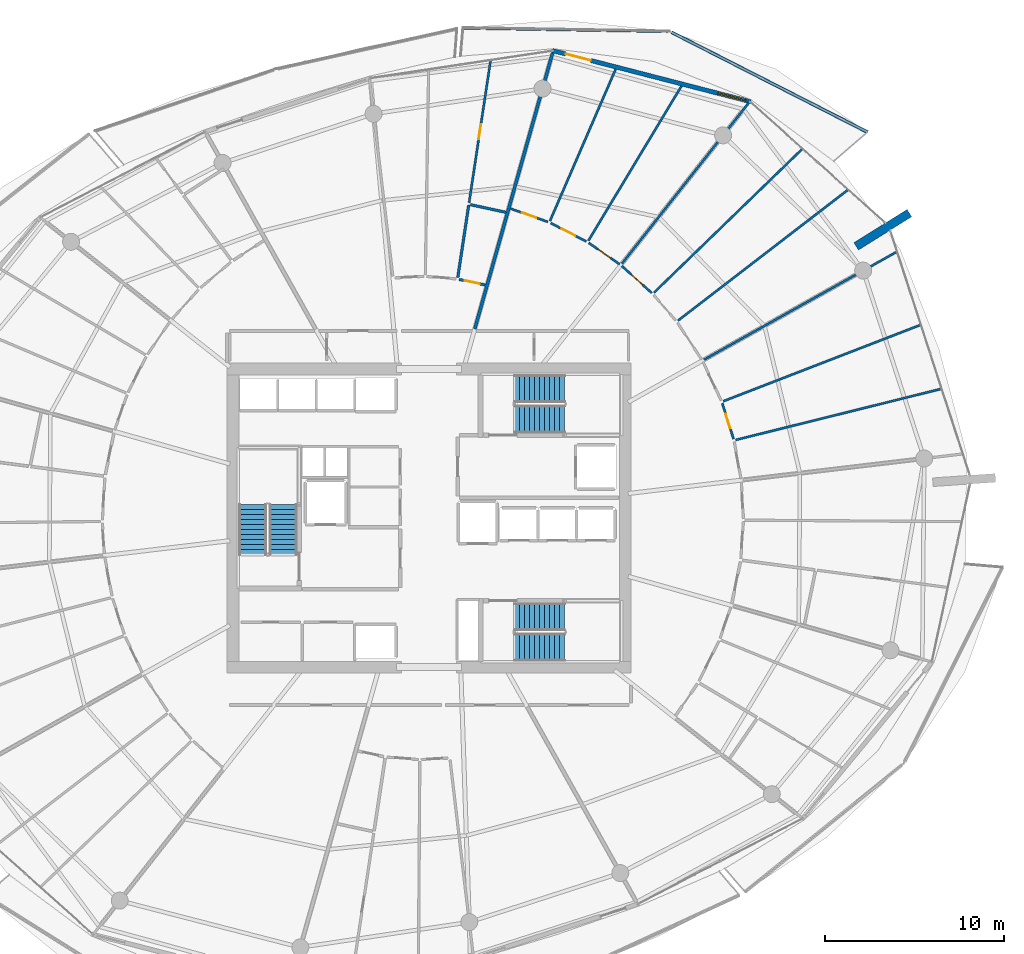
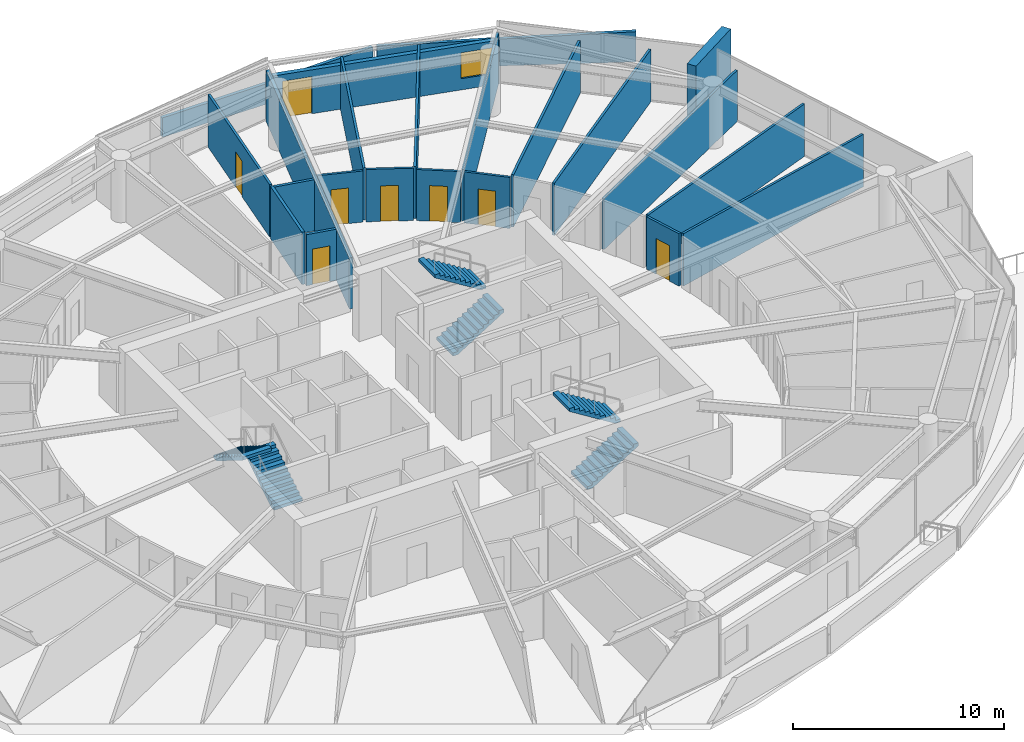
# One storey, part 23 of 30: 22 walls, 8 doors, 6 stair flights, 1 window, 9 openings, 3 elements without a shape of their own.
"""IFC4 building model written with IfcOpenShell, lengths in metres."""

from ifc_helpers import new_model, si_unit, direction, frame, frame_2d, origin, place, context, subcontext, project, spatial, polyline, rectangle, outline, extrude, material, layer, layer_set, type_object, element, fill, aggregate, save


model = new_model("IFC4")

# Units and contexts
model_context = context("Model", 3, precision=1e-05, world=origin(), true_north=direction((0.0, 1.0)))
body_context = subcontext(model_context, "Body", "Model", "MODEL_VIEW")
ifc_project = project(units=[si_unit("LENGTHUNIT", "METRE"), si_unit("AREAUNIT", "SQUARE_METRE"), si_unit("VOLUMEUNIT", "CUBIC_METRE"), si_unit("PLANEANGLEUNIT", "RADIAN"), si_unit("MASSUNIT", "GRAM", prefix="KILO")], contexts=[model_context])

# Site, building, storey
site_placement = place(None, origin())
site = spatial("IfcSite", under=ifc_project, at=site_placement, CompositionType="ELEMENT")
building_placement = place(site_placement, origin())
building = spatial("IfcBuilding", under=site, at=building_placement, Name="Kazma Halo Residences", CompositionType="ELEMENT")
storey_placement = place(building_placement, frame((0.0, 0.0, 236.699951171875)))
storey = spatial("IfcBuildingStorey", under=building, at=storey_placement, Name="L59", CompositionType="ELEMENT", Elevation=236.699951171875)

# Walls
ifc_material_1 = material(Name="White Concrete C50/60 Balustrade", Category="concrete")
ifc_layer_1 = layer(ifc_material_1, 0.179931640625)
ifc_layer_set_1 = layer_set([ifc_layer_1], Name="White Concrete C50/60 Balustrade")
wall_type_1 = type_object("IfcWallType", Name="WL-BAL-WAVE-180", PredefinedType="PARAPET", material=ifc_layer_set_1)
wall_1_placement = place(storey_placement, frame((72.91748046875, 63.546142578125, 0.0), z_axis=(0.0, 0.0, 1.0), x_axis=(-0.890886303028, 0.454226369861, 0.0)))
element("IfcWall", 1, at=wall_1_placement, inside=storey, type_object=wall_type_1, Name="L59 white wave balustrade wall NE.1", PredefinedType="PARAPET", context=body_context, shape_type="SweptSolid", body=[
    extrude(outline(polyline([(0.0, 0.0), (12.2998046875, 0.0), (12.2998046875, 1.34814453125), (6.14990234375, 1.56201171875), (0.0, 1.7470703125), (0.0, 0.0)])), frame((0.0, 0.08984375, 0.0), z_axis=(0.0, -1.0, 0.0), x_axis=(1.0, 0.0, 0.0)), (0.0, 0.0, 1.0), 0.179931640625),
])
wall_2_placement = place(storey_placement, frame((61.732666015625, 69.189453125, 0.0), z_axis=(0.0, 0.0, 1.0), x_axis=(-0.999862171908, 0.016602324761, 0.0)))
element("IfcWall", 2, at=wall_2_placement, inside=storey, type_object=wall_type_1, Name="L59 white wave balustrade wall NE.2", PredefinedType="PARAPET", context=body_context, shape_type="SweptSolid", body=[
    extrude(outline(polyline([(0.0, 0.0), (11.4111328125, 0.0), (11.4111328125, 1.1201171875), (5.70556640625, 1.18212890625), (0.0, 1.34814453125), (0.0, 0.0)])), frame((0.0, 0.08984375, 0.0), z_axis=(0.0, -1.0, 0.0), x_axis=(1.0, 0.0, 0.0)), (0.0, 0.0, 1.0), 0.179931640625),
])
ifc_material_2 = material(Name="Pale Concrete C60/75", Category="concrete")
ifc_layer_2 = layer(ifc_material_2, 0.47998046875)
ifc_layer_set_2 = layer_set([ifc_layer_2], Name="Pale Concrete C60/75")
wall_type_2 = type_object("IfcWallType", Name="WL-BLADE-480", PredefinedType="SOLIDWALL", material=ifc_layer_set_2)
wall_3_placement = place(storey_placement, frame((72.281494140625, 57.172607421875, 0.0), z_axis=(0.0, 0.0, 1.0), x_axis=(0.848033572426, 0.529942506352, 0.0)))
element("IfcWall", 3, at=wall_3_placement, inside=storey, type_object=wall_type_2, Name="L59 pale concrete structural blade fin wall BW-01", PredefinedType="SOLIDWALL", context=body_context, shape_type="SweptSolid", body=[
    extrude(rectangle(XDim=3.5, YDim=0.47998046875, at=frame_2d((1.75, 0.0))), origin(), (0.0, 0.0, 1.0), 3.85009765625),
])
ifc_material_3 = material(Name="Acoustic Twin-Stud Gypsum")
ifc_layer_3 = layer(ifc_material_3, 0.179931640625)
ifc_layer_set_3 = layer_set([ifc_layer_3], Name="Acoustic Twin-Stud Gypsum")
wall_type_3 = type_object("IfcWallType", Name="WL-DEM-180", PredefinedType="PARTITIONING", material=ifc_layer_set_3)
wall_4_placement = place(storey_placement, frame((50.97705078125, 52.555908203125, 0.0), z_axis=(0.0, 0.0, 1.0), x_axis=(0.271442063103, 0.962454781472, 0.0)))
element("IfcWall", 4, at=wall_4_placement, inside=storey, type_object=wall_type_3, Name="L59 apartment demising radial wall 02", PredefinedType="PARTITIONING", context=body_context, shape_type="SweptSolid", body=[
    extrude(rectangle(XDim=16.016845703125, YDim=0.179931640625, at=frame_2d((8.00830078125, 0.0))), origin(), (0.0, 0.0, 1.0), 2.95703125),
])

# Wall, openings, door, window
ifc_material_4 = material(Name="Insulated Pale-Metal Composite Wall")
ifc_layer_4 = layer(ifc_material_4, 0.239990234375)
ifc_layer_set_4 = layer_set([ifc_layer_4], Name="Insulated Pale-Metal Composite Wall")
wall_type_4 = type_object("IfcWallType", Name="WL-EXT-HOST-240", PredefinedType="SOLIDWALL", material=ifc_layer_set_4)
wall_5_placement = place(storey_placement, frame((66.386474609375, 65.2490234375, 0.0), z_axis=(0.0, 0.0, 1.0), x_axis=(-0.968343758421, 0.249620442927, 0.0)))
wall_5 = element("IfcWall", 5, at=wall_5_placement, inside=storey, type_object=wall_type_4, Name="L59 exterior terrace-access wall B02", PredefinedType="SOLIDWALL", context=body_context, shape_type="SweptSolid", body=[
    extrude(rectangle(XDim=11.438232421875, YDim=0.239990234375, at=frame_2d((5.71923828125, 0.0))), origin(), (0.0, 0.0, 1.0), 2.5400390625),
])
opening_1_placement = place(wall_5_placement, frame((9.21826171875, 0.0, 0.0)))
opening_1 = element("IfcOpeningElement", 6, at=opening_1_placement, cuts=wall_5, Name="Opening DTR-1600", PredefinedType="OPENING", context=body_context, shape_type="SweptSolid", body=[
    extrude(rectangle(XDim=1.449951171875, YDim=2.14990234375, at=frame_2d((0.72509765625, 1.074951171875))), frame((0.0, 0.1298828125, 0.0), z_axis=(0.0, -1.0, 0.0), x_axis=(1.0, 0.0, 0.0)), (0.0, 0.0, 1.0), 0.260009765625),
])
opening_2_placement = place(wall_5_placement, frame((0.280029296875, 0.0, 0.64990234375)))
opening_2 = element("IfcOpeningElement", 7, at=opening_2_placement, cuts=wall_5, Name="Opening W-1800", PredefinedType="OPENING", context=body_context, shape_type="SweptSolid", body=[
    extrude(rectangle(XDim=1.60009765625, YDim=1.5, at=frame_2d((0.800048828125, 0.75))), frame((0.0, 0.1298828125, 0.0), z_axis=(0.0, -1.0, 0.0), x_axis=(1.0, 0.0, 0.0)), (0.0, 0.0, 1.0), 0.260009765625),
])
ifc_material_5 = material(Name="Aluminium AW-6063 T6 Double-Glazed Terrace Door", Category="aluminium")
door_type_1 = type_object("IfcDoorType", Name="DR-EXT-TERR-1600", OperationType="NOTDEFINED", PredefinedType="DOOR", material=ifc_material_5)
door_1_placement = place(opening_1_placement, origin())
door_1 = element("IfcDoor", 8, at=door_1_placement, inside=storey, type_object=door_type_1, Name="L59 B02 balcony terrace door", OperationType="DOUBLE_DOOR_SLIDING", OverallHeight=2.14990234375, OverallWidth=1.449951171875, PredefinedType="DOOR", context=body_context, shape_type="SweptSolid", body=[
    extrude(rectangle(XDim=1.449951171875, YDim=2.14990234375, at=frame_2d((0.72509765625, 1.074951171875))), frame((0.0, 0.02490234375, 0.0), z_axis=(0.0, -1.0, 0.0), x_axis=(1.0, 0.0, 0.0)), (0.0, 0.0, 1.0), 0.050048828125),
])
fill(opening_1, door_1)
ifc_material_6 = material(Name="Clear Triple-Silver Low-E Glass in Aluminium AW-6063 T6 Frame", Category="aluminium")
window_type = type_object("IfcWindowType", Name="WIN-RES-1800", PartitioningType="DOUBLE_PANEL_VERTICAL", PredefinedType="WINDOW", material=ifc_material_6)
window_placement = place(opening_2_placement, origin())
window = element("IfcWindow", 9, at=window_placement, inside=storey, type_object=window_type, Name="L59 B02 apartment window", OverallHeight=1.5, OverallWidth=1.60009765625, PartitioningType="SINGLE_PANEL", PredefinedType="WINDOW", context=body_context, shape_type="SweptSolid", body=[
    extrude(rectangle(XDim=1.60009765625, YDim=1.5, at=frame_2d((0.800048828125, 0.75))), frame((0.0, 0.030029296875, 0.0), z_axis=(0.0, -1.0, 0.0), x_axis=(1.0, 0.0, 0.0)), (0.0, 0.0, 1.0), 0.06005859375),
])
fill(opening_2, window)

# Wall, opening, door
ifc_material_7 = material(Name="Gypsum Plasterboard Partition")
ifc_layer_5 = layer(ifc_material_7, 0.125)
ifc_layer_set_5 = layer_set([ifc_layer_5], Name="Gypsum Plasterboard Partition")
wall_type_5 = type_object("IfcWallType", Name="WL-PART-125", PredefinedType="PARTITIONING", material=ifc_layer_set_5)
wall_6_placement = place(storey_placement, frame((50.661376953125, 59.60693359375, 0.0), z_axis=(0.0, 0.0, 1.0), x_axis=(0.149441267911, 0.988770604056, 0.0)))
wall_6 = element("IfcWall", 10, at=wall_6_placement, inside=storey, type_object=wall_type_5, Name="L59 Apartment 1 Utility Laundry Room partition wall", PredefinedType="PARTITIONING", context=body_context, shape_type="SweptSolid", body=[
    extrude(rectangle(XDim=8.024658203125, YDim=0.125, at=frame_2d((4.01220703125, 0.0))), origin(), (0.0, 0.0, 1.0), 3.030029296875),
])
opening_3_placement = place(wall_6_placement, frame((3.58740234375, 0.0, 0.0)))
opening_3 = element("IfcOpeningElement", 11, at=opening_3_placement, cuts=wall_6, Name="Opening DB-900", PredefinedType="OPENING", context=body_context, shape_type="SweptSolid", body=[
    extrude(rectangle(XDim=0.85009765625, YDim=2.06005859375, at=frame_2d((0.425048828125, 1.030029296875))), frame((0.0, 0.072509765625, 0.0), z_axis=(0.0, -1.0, 0.0), x_axis=(1.0, 0.0, 0.0)), (0.0, 0.0, 1.0), 0.14501953125),
])
ifc_material_8 = material(Name="Moisture-Sealed Timber Leaf", Category="wood")
door_type_2 = type_object("IfcDoorType", Name="DR-BTH-900", OperationType="NOTDEFINED", PredefinedType="DOOR", material=ifc_material_8)
door_2_placement = place(opening_3_placement, origin())
door_2 = element("IfcDoor", 12, at=door_2_placement, inside=storey, type_object=door_type_2, Name="L59 Apartment 1 Utility Laundry Room door", OperationType="SINGLE_SWING_LEFT", OverallHeight=2.06005859375, OverallWidth=0.85009765625, PredefinedType="DOOR", context=body_context, shape_type="SweptSolid", body=[
    extrude(rectangle(XDim=0.85009765625, YDim=2.06005859375, at=frame_2d((0.425048828125, 1.030029296875))), frame((0.0, 0.02490234375, 0.0), z_axis=(0.0, -1.0, 0.0), x_axis=(1.0, 0.0, 0.0)), (0.0, 0.0, 1.0), 0.050048828125),
])
fill(opening_3, door_2)

# Walls
wall_7_placement = place(storey_placement, frame((65.543701171875, 46.35791015625, 0.0), z_axis=(0.0, 0.0, 1.0), x_axis=(0.970505215381, 0.241080125513, 0.0)))
element("IfcWall", 13, at=wall_7_placement, inside=storey, type_object=wall_type_5, Name="L59 Apartment 4 bay wall 1 15", PredefinedType="PARTITIONING", context=body_context, shape_type="SweptSolid", body=[
    extrude(rectangle(XDim=11.842529296875, YDim=0.125, at=frame_2d((5.92138671875, 0.0))), origin(), (0.0, 0.0, 1.0), 3.030029296875),
])
wall_8_placement = place(storey_placement, frame((64.859375, 48.5224609375, 0.0), z_axis=(0.0, 0.0, 1.0), x_axis=(0.932638555512, 0.360812035238, 0.0)))
element("IfcWall", 14, at=wall_8_placement, inside=storey, type_object=wall_type_5, Name="L59 Apartment 4 bay wall 2 15", PredefinedType="PARTITIONING", context=body_context, shape_type="SweptSolid", body=[
    extrude(rectangle(XDim=11.812744140625, YDim=0.125, at=frame_2d((5.90625, 0.0))), origin(), (0.0, 0.0, 1.0), 3.030029296875),
])

# Wall, opening, door
wall_9_placement = place(storey_placement, frame((65.432373046875, 46.41259765625, 0.0), z_axis=(0.0, 0.0, 1.0), x_axis=(-0.301532202781, 0.953455993052, 0.0)))
wall_9 = element("IfcWall", 15, at=wall_9_placement, inside=storey, type_object=wall_type_5, Name="L59 Apartment 4 South Dressing Wardrobe hall wall", PredefinedType="PARTITIONING", context=body_context, shape_type="SweptSolid", body=[
    extrude(rectangle(XDim=2.0986328125, YDim=0.125, at=frame_2d((1.04931640625, 0.0))), origin(), (0.0, 0.0, 1.0), 3.030029296875),
])
opening_4_placement = place(wall_9_placement, frame((0.62451171875, 0.0, 0.0)))
opening_4 = element("IfcOpeningElement", 16, at=opening_4_placement, cuts=wall_9, Name="Opening DB-900", PredefinedType="OPENING", context=body_context, shape_type="SweptSolid", body=[
    extrude(rectangle(XDim=0.85009765625, YDim=2.06005859375, at=frame_2d((0.425048828125, 1.030029296875))), frame((0.0, 0.072509765625, 0.0), z_axis=(0.0, -1.0, 0.0), x_axis=(1.0, 0.0, 0.0)), (0.0, 0.0, 1.0), 0.14501953125),
])
door_3_placement = place(opening_4_placement, origin())
door_3 = element("IfcDoor", 17, at=door_3_placement, inside=storey, type_object=door_type_2, Name="L59 Apartment 4 South Dressing Wardrobe door", OperationType="SINGLE_SWING_LEFT", OverallHeight=2.06005859375, OverallWidth=0.85009765625, PredefinedType="DOOR", context=body_context, shape_type="SweptSolid", body=[
    extrude(rectangle(XDim=0.85009765625, YDim=2.06005859375, at=frame_2d((0.425048828125, 1.030029296875))), frame((0.0, 0.02490234375, 0.0), z_axis=(0.0, -1.0, 0.0), x_axis=(1.0, 0.0, 0.0)), (0.0, 0.0, 1.0), 0.050048828125),
])
fill(opening_4, door_3)

# Walls
wall_10_placement = place(storey_placement, frame((63.78076171875, 50.837646484375, 0.0), z_axis=(0.0, 0.0, 1.0), x_axis=(0.872494210357, 0.48862444975, 0.0)))
element("IfcWall", 18, at=wall_10_placement, inside=storey, type_object=wall_type_5, Name="L59 Apartment 4 radial partition 0", PredefinedType="PARTITIONING", context=body_context, shape_type="SweptSolid", body=[
    extrude(rectangle(XDim=12.3427734375, YDim=0.125, at=frame_2d((6.17138671875, 0.0))), origin(), (0.0, 0.0, 1.0), 2.95703125),
])
wall_11_placement = place(storey_placement, frame((62.326904296875, 53.0234375, 0.0), z_axis=(0.0, 0.0, 1.0), x_axis=(0.792569370424, 0.609781758554, 0.0)))
element("IfcWall", 19, at=wall_11_placement, inside=storey, type_object=wall_type_5, Name="L59 Apartment 4 bay wall 1 0", PredefinedType="PARTITIONING", context=body_context, shape_type="SweptSolid", body=[
    extrude(rectangle(XDim=11.96484375, YDim=0.125, at=frame_2d((5.982421875, 0.0))), origin(), (0.0, 0.0, 1.0), 3.030029296875),
])
wall_12_placement = place(storey_placement, frame((60.9814453125, 54.580078125, 0.0), z_axis=(0.0, 0.0, 1.0), x_axis=(0.718135065817, 0.695903748549, 0.0)))
element("IfcWall", 20, at=wall_12_placement, inside=storey, type_object=wall_type_5, Name="L59 Apartment 4 bay wall 2 0", PredefinedType="PARTITIONING", context=body_context, shape_type="SweptSolid", body=[
    extrude(rectangle(XDim=11.531005859375, YDim=0.125, at=frame_2d((5.765625, 0.0))), origin(), (0.0, 0.0, 1.0), 3.030029296875),
])

# Wall, opening, door
wall_13_placement = place(storey_placement, frame((60.857421875, 54.571044921875, 0.0), z_axis=(0.0, 0.0, 1.0), x_axis=(-0.742214573282, 0.670162314076, 0.0)))
wall_13 = element("IfcWall", 21, at=wall_13_placement, inside=storey, type_object=wall_type_5, Name="L59 Apartment 4 Garden Bedroom hall wall", PredefinedType="PARTITIONING", context=body_context, shape_type="SweptSolid", body=[
    extrude(rectangle(XDim=2.23974609375, YDim=0.125, at=frame_2d((1.119873046875, 0.0))), origin(), (0.0, 0.0, 1.0), 2.95703125),
])
opening_5_placement = place(wall_13_placement, frame((0.69482421875, 0.0, 0.0)))
opening_5 = element("IfcOpeningElement", 22, at=opening_5_placement, cuts=wall_13, Name="Opening DB-900", PredefinedType="OPENING", context=body_context, shape_type="SweptSolid", body=[
    extrude(rectangle(XDim=0.85009765625, YDim=2.06005859375, at=frame_2d((0.425048828125, 1.030029296875))), frame((0.0, 0.072509765625, 0.0), z_axis=(0.0, -1.0, 0.0), x_axis=(1.0, 0.0, 0.0)), (0.0, 0.0, 1.0), 0.14501953125),
])
door_4_placement = place(opening_5_placement, origin())
door_4 = element("IfcDoor", 23, at=door_4_placement, inside=storey, type_object=door_type_2, Name="L59 Apartment 4 Garden Bedroom door", OperationType="SINGLE_SWING_LEFT", OverallHeight=2.06005859375, OverallWidth=0.85009765625, PredefinedType="DOOR", context=body_context, shape_type="SweptSolid", body=[
    extrude(rectangle(XDim=0.85009765625, YDim=2.06005859375, at=frame_2d((0.425048828125, 1.030029296875))), frame((0.0, 0.02490234375, 0.0), z_axis=(0.0, -1.0, 0.0), x_axis=(1.0, 0.0, 0.0)), (0.0, 0.0, 1.0), 0.050048828125),
])
fill(opening_5, door_4)

# Walls
wall_14_placement = place(storey_placement, frame((59.197509765625, 56.2041015625, 0.0), z_axis=(0.0, 0.0, 1.0), x_axis=(0.619101452742, 0.785311015593, 0.0)))
element("IfcWall", 24, at=wall_14_placement, inside=storey, type_object=wall_type_5, Name="L59 Apartment 4 radial partition 1", PredefinedType="PARTITIONING", context=body_context, shape_type="SweptSolid", body=[
    extrude(rectangle(XDim=11.508544921875, YDim=0.125, at=frame_2d((5.75439453125, 0.0))), origin(), (0.0, 0.0, 1.0), 2.95703125),
])
wall_15_placement = place(storey_placement, frame((57.32373046875, 57.48681640625, 0.0), z_axis=(0.0, 0.0, 1.0), x_axis=(0.515791839044, 0.856713942209, 0.0)))
element("IfcWall", 25, at=wall_15_placement, inside=storey, type_object=wall_type_5, Name="L59 Apartment 4 bay wall 1 1", PredefinedType="PARTITIONING", context=body_context, shape_type="SweptSolid", body=[
    extrude(rectangle(XDim=10.07861328125, YDim=0.125, at=frame_2d((5.039306640625, 0.0))), origin(), (0.0, 0.0, 1.0), 3.030029296875),
])
wall_16_placement = place(storey_placement, frame((55.17919921875, 58.59033203125, 0.0), z_axis=(0.0, 0.0, 1.0), x_axis=(0.397155540024, 0.91775131546, 0.0)))
element("IfcWall", 26, at=wall_16_placement, inside=storey, type_object=wall_type_5, Name="L59 Apartment 4 bay wall 2 1", PredefinedType="PARTITIONING", context=body_context, shape_type="SweptSolid", body=[
    extrude(rectangle(XDim=9.234375, YDim=0.125, at=frame_2d((4.6171875, 0.0))), origin(), (0.0, 0.0, 1.0), 3.030029296875),
])

# Wall, opening, door
wall_17_placement = place(storey_placement, frame((59.06982421875, 56.1708984375, 0.0), z_axis=(0.0, 0.0, 1.0), x_axis=(-0.822627459645, 0.568580744167, 0.0)))
wall_17 = element("IfcWall", 27, at=wall_17_placement, inside=storey, type_object=wall_type_5, Name="L59 Apartment 4 Sky Bedroom hall wall", PredefinedType="PARTITIONING", context=body_context, shape_type="SweptSolid", body=[
    extrude(rectangle(XDim=2.098876953125, YDim=0.125, at=frame_2d((1.04931640625, 0.0))), origin(), (0.0, 0.0, 1.0), 2.95703125),
])
opening_6_placement = place(wall_17_placement, frame((0.62451171875, 0.0, 0.0)))
opening_6 = element("IfcOpeningElement", 28, at=opening_6_placement, cuts=wall_17, Name="Opening DB-900", PredefinedType="OPENING", context=body_context, shape_type="SweptSolid", body=[
    extrude(rectangle(XDim=0.85009765625, YDim=2.06005859375, at=frame_2d((0.425048828125, 1.030029296875))), frame((0.0, 0.072509765625, 0.0), z_axis=(0.0, -1.0, 0.0), x_axis=(1.0, 0.0, 0.0)), (0.0, 0.0, 1.0), 0.14501953125),
])
door_5_placement = place(opening_6_placement, origin())
door_5 = element("IfcDoor", 29, at=door_5_placement, inside=storey, type_object=door_type_2, Name="L59 Apartment 4 Sky Bedroom door", OperationType="SINGLE_SWING_RIGHT", OverallHeight=2.06005859375, OverallWidth=0.85009765625, PredefinedType="DOOR", context=body_context, shape_type="SweptSolid", body=[
    extrude(rectangle(XDim=0.85009765625, YDim=2.06005859375, at=frame_2d((0.425048828125, 1.030029296875))), frame((0.0, 0.02490234375, 0.0), z_axis=(0.0, -1.0, 0.0), x_axis=(1.0, 0.0, 0.0)), (0.0, 0.0, 1.0), 0.050048828125),
])
fill(opening_6, door_5)

wall_18_placement = place(storey_placement, frame((57.206298828125, 57.4462890625, 0.0), z_axis=(0.0, 0.0, 1.0), x_axis=(-0.88917885275, 0.45755979699, 0.0)))
wall_18 = element("IfcWall", 30, at=wall_18_placement, inside=storey, type_object=wall_type_5, Name="L59 Apartment 4 Gulf Study hall wall", PredefinedType="PARTITIONING", context=body_context, shape_type="SweptSolid", body=[
    extrude(rectangle(XDim=2.239990234375, YDim=0.125, at=frame_2d((1.1201171875, 0.0))), origin(), (0.0, 0.0, 1.0), 3.030029296875),
])
opening_7_placement = place(wall_18_placement, frame((0.69482421875, 0.0, 0.0)))
opening_7 = element("IfcOpeningElement", 31, at=opening_7_placement, cuts=wall_18, Name="Opening DB-900", PredefinedType="OPENING", context=body_context, shape_type="SweptSolid", body=[
    extrude(rectangle(XDim=0.85009765625, YDim=2.06005859375, at=frame_2d((0.425048828125, 1.030029296875))), frame((0.0, 0.072509765625, 0.0), z_axis=(0.0, -1.0, 0.0), x_axis=(1.0, 0.0, 0.0)), (0.0, 0.0, 1.0), 0.14501953125),
])
door_6_placement = place(opening_7_placement, origin())
door_6 = element("IfcDoor", 32, at=door_6_placement, inside=storey, type_object=door_type_2, Name="L59 Apartment 4 Gulf Study door", OperationType="SINGLE_SWING_LEFT", OverallHeight=2.06005859375, OverallWidth=0.85009765625, PredefinedType="DOOR", context=body_context, shape_type="SweptSolid", body=[
    extrude(rectangle(XDim=0.85009765625, YDim=2.06005859375, at=frame_2d((0.425048828125, 1.030029296875))), frame((0.0, 0.02490234375, 0.0), z_axis=(0.0, -1.0, 0.0), x_axis=(1.0, 0.0, 0.0)), (0.0, 0.0, 1.0), 0.050048828125),
])
fill(opening_7, door_6)

wall_19_placement = place(storey_placement, frame((55.068115234375, 58.534423828125, 0.0), z_axis=(0.0, 0.0, 1.0), x_axis=(-0.942194809645, 0.335065576683, 0.0)))
wall_19 = element("IfcWall", 33, at=wall_19_placement, inside=storey, type_object=wall_type_5, Name="L59 Apartment 4 Primary Bedroom hall wall", PredefinedType="PARTITIONING", context=body_context, shape_type="SweptSolid", body=[
    extrude(rectangle(XDim=2.23974609375, YDim=0.125, at=frame_2d((1.119873046875, 0.0))), origin(), (0.0, 0.0, 1.0), 2.95703125),
])
opening_8_placement = place(wall_19_placement, frame((0.69482421875, 0.0, 0.0)))
opening_8 = element("IfcOpeningElement", 34, at=opening_8_placement, cuts=wall_19, Name="Opening DB-900", PredefinedType="OPENING", context=body_context, shape_type="SweptSolid", body=[
    extrude(rectangle(XDim=0.85009765625, YDim=2.06005859375, at=frame_2d((0.425048828125, 1.030029296875))), frame((0.0, 0.072509765625, 0.0), z_axis=(0.0, -1.0, 0.0), x_axis=(1.0, 0.0, 0.0)), (0.0, 0.0, 1.0), 0.14501953125),
])
door_7_placement = place(opening_8_placement, origin())
door_7 = element("IfcDoor", 35, at=door_7_placement, inside=storey, type_object=door_type_2, Name="L59 Apartment 4 Primary Bedroom door", OperationType="SINGLE_SWING_RIGHT", OverallHeight=2.06005859375, OverallWidth=0.85009765625, PredefinedType="DOOR", context=body_context, shape_type="SweptSolid", body=[
    extrude(rectangle(XDim=0.85009765625, YDim=2.06005859375, at=frame_2d((0.425048828125, 1.030029296875))), frame((0.0, 0.02490234375, 0.0), z_axis=(0.0, -1.0, 0.0), x_axis=(1.0, 0.0, 0.0)), (0.0, 0.0, 1.0), 0.050048828125),
])
fill(opening_8, door_7)

ifc_material_9 = material(Name="Moisture-Resistant Gypsum")
ifc_layer_6 = layer(ifc_material_9, 0.14990234375)
ifc_layer_set_6 = layer_set([ifc_layer_6], Name="Moisture-Resistant Gypsum")
wall_type_6 = type_object("IfcWallType", Name="WL-WET-150", PredefinedType="PARTITIONING", material=ifc_layer_set_6)
wall_20_placement = place(storey_placement, frame((51.56591796875, 55.011474609375, 0.0), z_axis=(0.0, 0.0, 1.0), x_axis=(-0.977543483976, 0.21073380587, 0.0)))
wall_20 = element("IfcWall", 36, at=wall_20_placement, inside=storey, type_object=wall_type_6, Name="L59 Apartment 1 Guest Bathroom hall wall", PredefinedType="PARTITIONING", context=body_context, shape_type="SweptSolid", body=[
    extrude(rectangle(XDim=1.494384765625, YDim=0.14990234375, at=frame_2d((0.7470703125, 0.0))), origin(), (0.0, 0.0, 1.0), 2.95703125),
])
opening_9_placement = place(wall_20_placement, frame((0.322021484375, 0.0, 0.0)))
opening_9 = element("IfcOpeningElement", 37, at=opening_9_placement, cuts=wall_20, Name="Opening DB-900", PredefinedType="OPENING", context=body_context, shape_type="SweptSolid", body=[
    extrude(rectangle(XDim=0.85009765625, YDim=2.06005859375, at=frame_2d((0.425048828125, 1.030029296875))), frame((0.0, 0.0849609375, 0.0), z_axis=(0.0, -1.0, 0.0), x_axis=(1.0, 0.0, 0.0)), (0.0, 0.0, 1.0), 0.169921875),
])
door_8_placement = place(opening_9_placement, origin())
door_8 = element("IfcDoor", 38, at=door_8_placement, inside=storey, type_object=door_type_2, Name="L59 Apartment 1 Guest Bathroom door", OperationType="SINGLE_SWING_RIGHT", OverallHeight=2.06005859375, OverallWidth=0.85009765625, PredefinedType="DOOR", context=body_context, shape_type="SweptSolid", body=[
    extrude(rectangle(XDim=0.85009765625, YDim=2.06005859375, at=frame_2d((0.425048828125, 1.030029296875))), frame((0.0, 0.02490234375, 0.0), z_axis=(0.0, -1.0, 0.0), x_axis=(1.0, 0.0, 0.0)), (0.0, 0.0, 1.0), 0.050048828125),
])
fill(opening_9, door_8)

# Walls
wall_21_placement = place(storey_placement, frame((52.711181640625, 59.072998046875, 0.0), z_axis=(0.0, 0.0, 1.0), x_axis=(-0.977523973404, 0.210824290395, 0.0)))
element("IfcWall", 39, at=wall_21_placement, inside=storey, type_object=wall_type_6, Name="L59 Apartment 1 Guest Bathroom back wall", PredefinedType="PARTITIONING", context=body_context, shape_type="SweptSolid", body=[
    extrude(rectangle(XDim=2.020751953125, YDim=0.14990234375, at=frame_2d((1.01025390625, 0.0))), origin(), (0.0, 0.0, 1.0), 2.95703125),
])
wall_22_placement = place(storey_placement, frame((50.030517578125, 55.434326171875, 0.0), z_axis=(0.0, 0.0, 1.0), x_axis=(0.149464107942, 0.988767151779, 0.0)))
element("IfcWall", 40, at=wall_22_placement, inside=storey, type_object=wall_type_6, Name="L59 Apartment 1 Guest Bathroom side wall", PredefinedType="PARTITIONING", context=body_context, shape_type="SweptSolid", body=[
    extrude(rectangle(XDim=4.090087890625, YDim=0.14990234375, at=frame_2d((2.044921875, 0.0))), origin(), (0.0, 0.0, 1.0), 3.030029296875),
])

# Stair, stair flights
ifc_material_10 = material(Name="Concrete C50/60", Category="concrete")
stair_type = type_object("IfcStairType", Name="STR-RES2", PredefinedType="HALF_TURN_STAIR", material=ifc_material_10)
stair_1_placement = place(storey_placement, origin())
stair_1 = element("IfcStair", 41, at=stair_1_placement, inside=storey, type_object=stair_type, Name="L59 Core exit stair ST-01", PredefinedType="HALF_TURN_STAIR")
stair_flight_type = type_object("IfcStairFlightType", Name="STR-RES2-FLT", PredefinedType="STRAIGHT", material=ifc_material_10)
stair_flight_1_placement = place(storey_placement, frame((40.27490234375, 39.949951171875, 0.0), z_axis=(0.0, 0.0, 1.0), x_axis=(0.0, 1.0, 0.0)))
stair_flight_1 = element("IfcStairFlight", 42, at=stair_flight_1_placement, type_object=stair_flight_type, Name="ST-01 flight 1", NumberOfRisers=11, NumberOfTreads=10, PredefinedType="STRAIGHT", RiserHeight=0.175, TreadLength=0.28, context=body_context, shape_type="SweptSolid", body=[
    extrude(outline(polyline([(0.0, 0.0), (0.0, 0.175048828125), (0.280029296875, 0.175048828125), (0.280029296875, 0.35009765625), (0.56005859375, 0.35009765625), (0.56005859375, 0.52490234375), (0.840087890625, 0.52490234375), (0.840087890625, 0.699951171875), (1.1201171875, 0.699951171875), (1.1201171875, 0.875), (1.39990234375, 0.875), (1.39990234375, 1.050048828125), (1.679931640625, 1.050048828125), (1.679931640625, 1.22509765625), (1.9599609375, 1.22509765625), (1.9599609375, 1.39990234375), (2.239990234375, 1.39990234375), (2.239990234375, 1.574951171875), (2.52001953125, 1.574951171875), (2.52001953125, 1.75), (2.800048828125, 1.75), (2.800048828125, 1.925048828125), (2.800048828125, 1.5732421875), (0.28271484375, 0.0), (0.0, 0.0)])), frame((0.0, 0.77490234375, 0.0), z_axis=(0.0, -1.0, 0.0), x_axis=(1.0, 0.0, 0.0)), (0.0, 0.0, 1.0), 1.550048828125),
])
stair_flight_2_placement = place(storey_placement, frame((38.574951171875, 42.75, 1.925048828125), z_axis=(0.0, 0.0, 1.0), x_axis=(0.0, -1.0, 0.0)))
stair_flight_2 = element("IfcStairFlight", 43, at=stair_flight_2_placement, type_object=stair_flight_type, Name="ST-01 flight 2", NumberOfRisers=11, NumberOfTreads=10, PredefinedType="STRAIGHT", RiserHeight=0.175, TreadLength=0.28, context=body_context, shape_type="SweptSolid", body=[
    extrude(outline(polyline([(0.0, 0.0), (0.0, 0.175048828125), (0.280029296875, 0.175048828125), (0.280029296875, 0.35009765625), (0.56005859375, 0.35009765625), (0.56005859375, 0.52490234375), (0.840087890625, 0.52490234375), (0.840087890625, 0.699951171875), (1.1201171875, 0.699951171875), (1.1201171875, 0.875), (1.39990234375, 0.875), (1.39990234375, 1.050048828125), (1.679931640625, 1.050048828125), (1.679931640625, 1.22509765625), (1.9599609375, 1.22509765625), (1.9599609375, 1.39990234375), (2.239990234375, 1.39990234375), (2.239990234375, 1.574951171875), (2.52001953125, 1.574951171875), (2.52001953125, 1.75), (2.800048828125, 1.75), (2.800048828125, 1.925048828125), (2.800048828125, 1.5732421875), (0.28271484375, 0.0), (0.0, 0.0)])), frame((0.0, 0.77490234375, 0.0), z_axis=(0.0, -1.0, 0.0), x_axis=(1.0, 0.0, 0.0)), (0.0, 0.0, 1.0), 1.550048828125),
])
aggregate(stair_1, [stair_flight_1, stair_flight_2])

stair_2_placement = place(storey_placement, origin())
stair_2 = element("IfcStair", 44, at=stair_2_placement, inside=storey, type_object=stair_type, Name="L59 Core exit stair ST-02", PredefinedType="HALF_TURN_STAIR")
stair_flight_3_placement = place(storey_placement, frame((53.199951171875, 47.52490234375, 0.0), z_axis=(0.0, 0.0, 1.0), x_axis=(1.0, 0.0, 0.0)))
stair_flight_3 = element("IfcStairFlight", 45, at=stair_flight_3_placement, type_object=stair_flight_type, Name="ST-02 flight 1", NumberOfRisers=11, NumberOfTreads=10, PredefinedType="STRAIGHT", RiserHeight=0.175, TreadLength=0.28, context=body_context, shape_type="SweptSolid", body=[
    extrude(outline(polyline([(0.0, 0.0), (0.0, 0.175048828125), (0.280029296875, 0.175048828125), (0.280029296875, 0.35009765625), (0.56005859375, 0.35009765625), (0.56005859375, 0.52490234375), (0.840087890625, 0.52490234375), (0.840087890625, 0.699951171875), (1.1201171875, 0.699951171875), (1.1201171875, 0.875), (1.39990234375, 0.875), (1.39990234375, 1.050048828125), (1.679931640625, 1.050048828125), (1.679931640625, 1.22509765625), (1.9599609375, 1.22509765625), (1.9599609375, 1.39990234375), (2.239990234375, 1.39990234375), (2.239990234375, 1.574951171875), (2.52001953125, 1.574951171875), (2.52001953125, 1.75), (2.800048828125, 1.75), (2.800048828125, 1.925048828125), (2.800048828125, 1.5732421875), (0.28271484375, 0.0), (0.0, 0.0)])), frame((0.0, 0.77490234375, 0.0), z_axis=(0.0, -1.0, 0.0), x_axis=(1.0, 0.0, 0.0)), (0.0, 0.0, 1.0), 1.550048828125),
])
stair_flight_4_placement = place(storey_placement, frame((56.0, 49.22509765625, 1.925048828125), z_axis=(0.0, 0.0, 1.0), x_axis=(-1.0, 0.0, 0.0)))
stair_flight_4 = element("IfcStairFlight", 46, at=stair_flight_4_placement, type_object=stair_flight_type, Name="ST-02 flight 2", NumberOfRisers=11, NumberOfTreads=10, PredefinedType="STRAIGHT", RiserHeight=0.175, TreadLength=0.28, context=body_context, shape_type="SweptSolid", body=[
    extrude(outline(polyline([(0.0, 0.0), (0.0, 0.175048828125), (0.280029296875, 0.175048828125), (0.280029296875, 0.35009765625), (0.56005859375, 0.35009765625), (0.56005859375, 0.52490234375), (0.840087890625, 0.52490234375), (0.840087890625, 0.699951171875), (1.1201171875, 0.699951171875), (1.1201171875, 0.875), (1.39990234375, 0.875), (1.39990234375, 1.050048828125), (1.679931640625, 1.050048828125), (1.679931640625, 1.22509765625), (1.9599609375, 1.22509765625), (1.9599609375, 1.39990234375), (2.239990234375, 1.39990234375), (2.239990234375, 1.574951171875), (2.52001953125, 1.574951171875), (2.52001953125, 1.75), (2.800048828125, 1.75), (2.800048828125, 1.925048828125), (2.800048828125, 1.5732421875), (0.28271484375, 0.0), (0.0, 0.0)])), frame((0.0, 0.77490234375, 0.0), z_axis=(0.0, -1.0, 0.0), x_axis=(1.0, 0.0, 0.0)), (0.0, 0.0, 1.0), 1.550048828125),
])
aggregate(stair_2, [stair_flight_3, stair_flight_4])

stair_3_placement = place(storey_placement, origin())
stair_3 = element("IfcStair", 47, at=stair_3_placement, inside=storey, type_object=stair_type, Name="L59 Core exit stair ST-03", PredefinedType="HALF_TURN_STAIR")
stair_flight_5_placement = place(storey_placement, frame((53.199951171875, 34.77490234375, 0.0), z_axis=(0.0, 0.0, 1.0), x_axis=(1.0, 0.0, 0.0)))
stair_flight_5 = element("IfcStairFlight", 48, at=stair_flight_5_placement, type_object=stair_flight_type, Name="ST-03 flight 1", NumberOfRisers=11, NumberOfTreads=10, PredefinedType="STRAIGHT", RiserHeight=0.175, TreadLength=0.28, context=body_context, shape_type="SweptSolid", body=[
    extrude(outline(polyline([(0.0, 0.0), (0.0, 0.175048828125), (0.280029296875, 0.175048828125), (0.280029296875, 0.35009765625), (0.56005859375, 0.35009765625), (0.56005859375, 0.52490234375), (0.840087890625, 0.52490234375), (0.840087890625, 0.699951171875), (1.1201171875, 0.699951171875), (1.1201171875, 0.875), (1.39990234375, 0.875), (1.39990234375, 1.050048828125), (1.679931640625, 1.050048828125), (1.679931640625, 1.22509765625), (1.9599609375, 1.22509765625), (1.9599609375, 1.39990234375), (2.239990234375, 1.39990234375), (2.239990234375, 1.574951171875), (2.52001953125, 1.574951171875), (2.52001953125, 1.75), (2.800048828125, 1.75), (2.800048828125, 1.925048828125), (2.800048828125, 1.5732421875), (0.28271484375, 0.0), (0.0, 0.0)])), frame((0.0, 0.77490234375, 0.0), z_axis=(0.0, -1.0, 0.0), x_axis=(1.0, 0.0, 0.0)), (0.0, 0.0, 1.0), 1.550048828125),
])
stair_flight_6_placement = place(storey_placement, frame((56.0, 36.47509765625, 1.925048828125), z_axis=(0.0, 0.0, 1.0), x_axis=(-1.0, 0.0, 0.0)))
stair_flight_6 = element("IfcStairFlight", 49, at=stair_flight_6_placement, type_object=stair_flight_type, Name="ST-03 flight 2", NumberOfRisers=11, NumberOfTreads=10, PredefinedType="STRAIGHT", RiserHeight=0.175, TreadLength=0.28, context=body_context, shape_type="SweptSolid", body=[
    extrude(outline(polyline([(0.0, 0.0), (0.0, 0.175048828125), (0.280029296875, 0.175048828125), (0.280029296875, 0.35009765625), (0.56005859375, 0.35009765625), (0.56005859375, 0.52490234375), (0.840087890625, 0.52490234375), (0.840087890625, 0.699951171875), (1.1201171875, 0.699951171875), (1.1201171875, 0.875), (1.39990234375, 0.875), (1.39990234375, 1.050048828125), (1.679931640625, 1.050048828125), (1.679931640625, 1.22509765625), (1.9599609375, 1.22509765625), (1.9599609375, 1.39990234375), (2.239990234375, 1.39990234375), (2.239990234375, 1.574951171875), (2.52001953125, 1.574951171875), (2.52001953125, 1.75), (2.800048828125, 1.75), (2.800048828125, 1.925048828125), (2.800048828125, 1.5732421875), (0.28271484375, 0.0), (0.0, 0.0)])), frame((0.0, 0.77490234375, 0.0), z_axis=(0.0, -1.0, 0.0), x_axis=(1.0, 0.0, 0.0)), (0.0, 0.0, 1.0), 1.550048828125),
])
aggregate(stair_3, [stair_flight_5, stair_flight_6])

save(model, "model.ifc")
